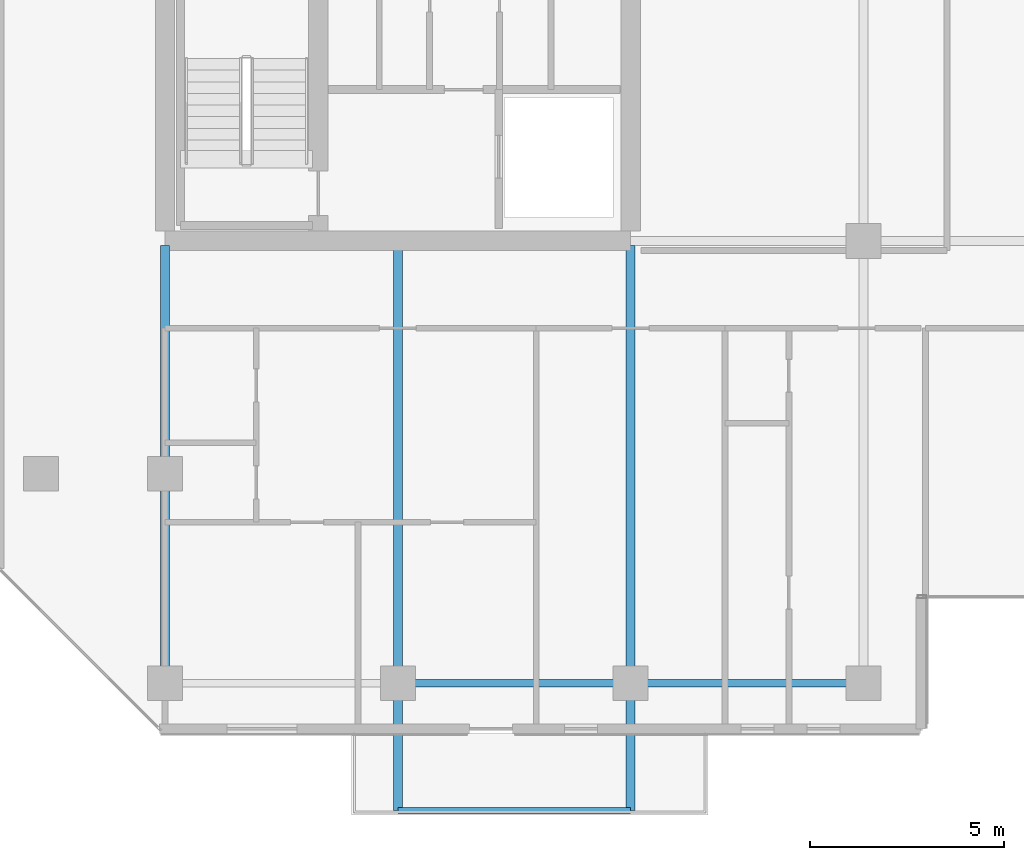
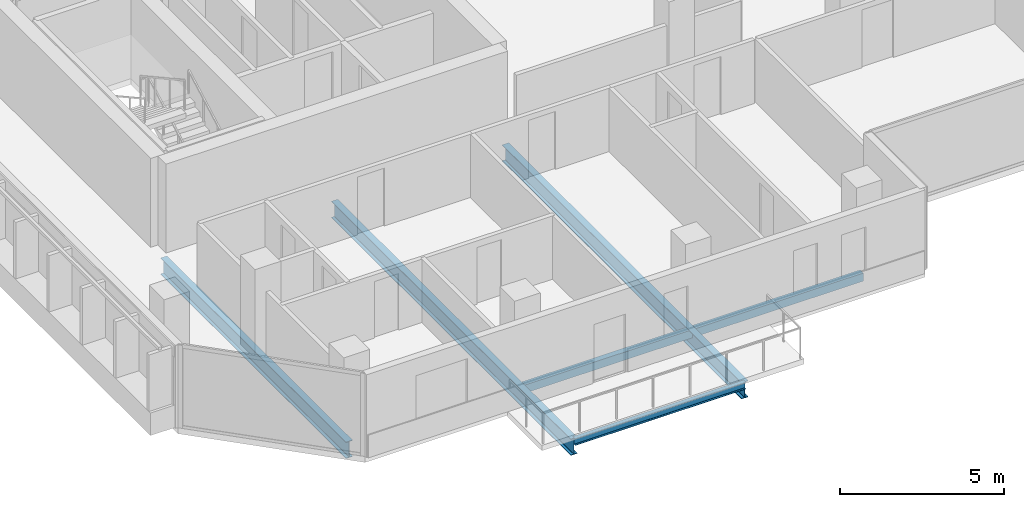
# One storey, part 3 of 29: 6 beams.
"""IFC4 building model written with IfcOpenShell, lengths in metres."""

from ifc_helpers import new_model, si_unit, direction, frame, origin, origin_2d, place, context, subcontext, project, spatial, hollow_rectangle, i_section, extrude, material, material_profile, profile_set, type_object, element, save


model = new_model("IFC4")

# Units and contexts
model_context = context("Model", 3, precision=1e-05, world=origin(), true_north=direction((0.0, 1.0)))
body_context = subcontext(model_context, "Body", "Model", "MODEL_VIEW")
ifc_project = project(units=[si_unit("LENGTHUNIT", "METRE"), si_unit("AREAUNIT", "SQUARE_METRE"), si_unit("VOLUMEUNIT", "CUBIC_METRE"), si_unit("PLANEANGLEUNIT", "RADIAN"), si_unit("MASSUNIT", "GRAM", prefix="KILO")], contexts=[model_context])

# Site, building, storey
site_placement = place(None, origin())
site = spatial("IfcSite", under=ifc_project, at=site_placement, CompositionType="ELEMENT")
building_placement = place(site_placement, origin())
building = spatial("IfcBuilding", under=site, at=building_placement, Name="Tanjung Sevakor Pilgrim Tower", CompositionType="ELEMENT")
storey_placement = place(building_placement, frame((0.0, 0.0, 148.5)))
storey = spatial("IfcBuildingStorey", under=building, at=storey_placement, Name="L41", CompositionType="ELEMENT", Elevation=148.5)

# Beams
ifc_material_1 = material(Name="Steel S355J2", Category="steel")
ifc_material_profile_1 = material_profile(ifc_material_1, i_section(OverallWidth=0.22900390625, OverallDepth=0.6123046875, WebThickness=0.011962890625, FlangeThickness=0.01953125, FilletRadius=0.0126953125, at=origin_2d()))
ifc_profile_set_1 = profile_set([ifc_material_profile_1], Name="Steel S355J2")
beam_type_1 = type_object("IfcBeamType", Name="BM-B-G4-UB_610x229x125", PredefinedType="BEAM", material=ifc_profile_set_1)
beam_1_placement = place(storey_placement, frame((24.0, 13.199951171875, -0.526123046875), z_axis=(0.0, 1.0, 0.0), x_axis=(-1.0, 0.0, 0.0)))
element("IfcBeam", 1, at=beam_1_placement, inside=storey, type_object=beam_type_1, Name="L41 MAIN Girder 001", PredefinedType="BEAM", context=body_context, shape_type="SweptSolid", body=[
    extrude(i_section(OverallWidth=0.22900390625, OverallDepth=0.6123046875, WebThickness=0.011962890625, FlangeThickness=0.01953125, FilletRadius=0.0126953125, at=origin_2d()), origin(), (0.0, 0.0, 1.0), 11.284912109375),
])
for number, where, z_axis, x_axis, name in (
    (2, (30.0, 24.48486328125, -0.526123046875), (0.0, -1.0, 0.0), (1.0, 0.0, 0.0), "L41 Balcony Cantilever Beam MAIN-S1-1"),
    (3, (36.0, 24.48486328125, -0.526123046875), (0.0, -1.0, 0.0), (1.0, 0.0, 0.0), "L41 Balcony Cantilever Beam MAIN-S1-2"),
):
    element("IfcBeam", number, at=place(storey_placement, frame(where, z_axis=z_axis, x_axis=x_axis)), inside=storey, type_object=beam_type_1, Name=name, PredefinedType="BEAM", context=body_context, shape_type="SweptSolid", body=[
        extrude(i_section(OverallWidth=0.22900390625, OverallDepth=0.6123046875, WebThickness=0.011962890625, FlangeThickness=0.01953125, FilletRadius=0.0126953125, at=origin_2d()), origin(), (0.0, 0.0, 1.0), 14.56494140625),
    ])
ifc_material_2 = material(Name="Steel S355J2", Category="steel")
ifc_material_profile_2 = material_profile(ifc_material_2, i_section(OverallWidth=0.146484375, OverallDepth=0.256103515625, WebThickness=0.00634765625, FlangeThickness=0.010986328125, FilletRadius=0.007568359375, at=origin_2d()))
ifc_profile_set_2 = profile_set([ifc_material_profile_2], Name="Steel S355J2")
beam_type_2 = type_object("IfcBeamType", Name="BM-B-J6-UB_254x146x37", PredefinedType="JOIST", material=ifc_profile_set_2)
beam_2_placement = place(storey_placement, frame((30.0, 9.919921875, -0.327880859375), z_axis=(1.0, 0.0, 0.0), x_axis=(0.0, 1.0, 0.0)))
element("IfcBeam", 4, at=beam_2_placement, inside=storey, type_object=beam_type_2, Name="L41 Balcony Rim Tie MAIN-S1", PredefinedType="JOIST", context=body_context, shape_type="SweptSolid", body=[
    extrude(i_section(OverallWidth=0.146484375, OverallDepth=0.256103515625, WebThickness=0.00634765625, FlangeThickness=0.010986328125, FilletRadius=0.007568359375, at=origin_2d()), origin(), (0.0, 0.0, 1.0), 6.0),
])
ifc_material_3 = material(Name="Steel S355J2", Category="steel")
ifc_material_profile_3 = material_profile(ifc_material_3, hollow_rectangle(XDim=0.199951171875, YDim=0.300048828125, WallThickness=0.012451171875, at=origin_2d()))
ifc_profile_set_3 = profile_set([ifc_material_profile_3], Name="Steel S355J2")
beam_type_3 = type_object("IfcBeamType", Name="BM-B-SP3-RHS_300x200x12.5", PredefinedType="SPANDREL", material=ifc_profile_set_3)
for number, where, z_axis, x_axis, name in (
    (5, (30.0, 13.199951171875, -0.3701171875), (1.0, 0.0, 0.0), (0.0, 1.0, 0.0), "L41 Spandrel MAIN S-03"),
    (6, (36.0, 13.199951171875, -0.3701171875), (1.0, 0.0, 0.0), (0.0, 1.0, 0.0), "L41 Spandrel MAIN S-05"),
):
    element("IfcBeam", number, at=place(storey_placement, frame(where, z_axis=z_axis, x_axis=x_axis)), inside=storey, type_object=beam_type_3, Name=name, PredefinedType="SPANDREL", context=body_context, shape_type="SweptSolid", body=[
        extrude(hollow_rectangle(XDim=0.199951171875, YDim=0.300048828125, WallThickness=0.012451171875, at=origin_2d()), origin(), (0.0, 0.0, 1.0), 6.0),
    ])

save(model, "model.ifc")
